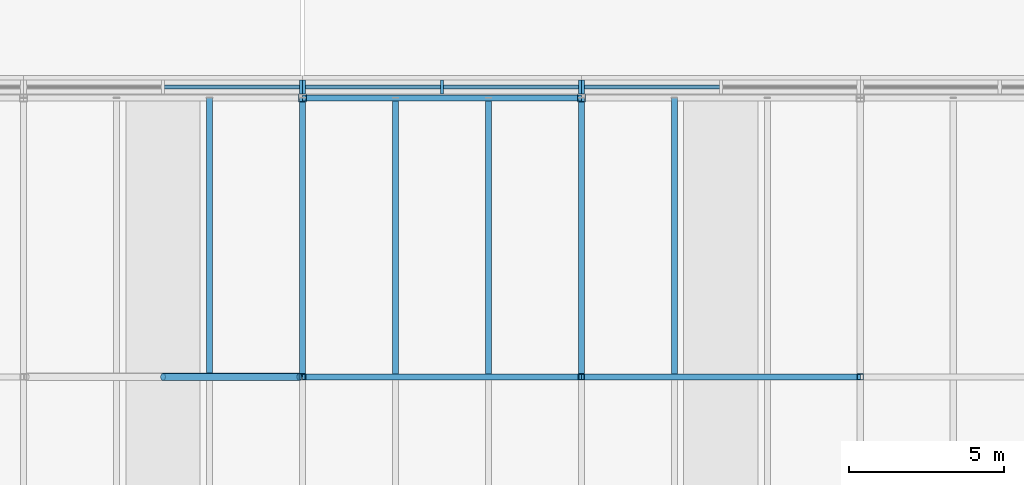
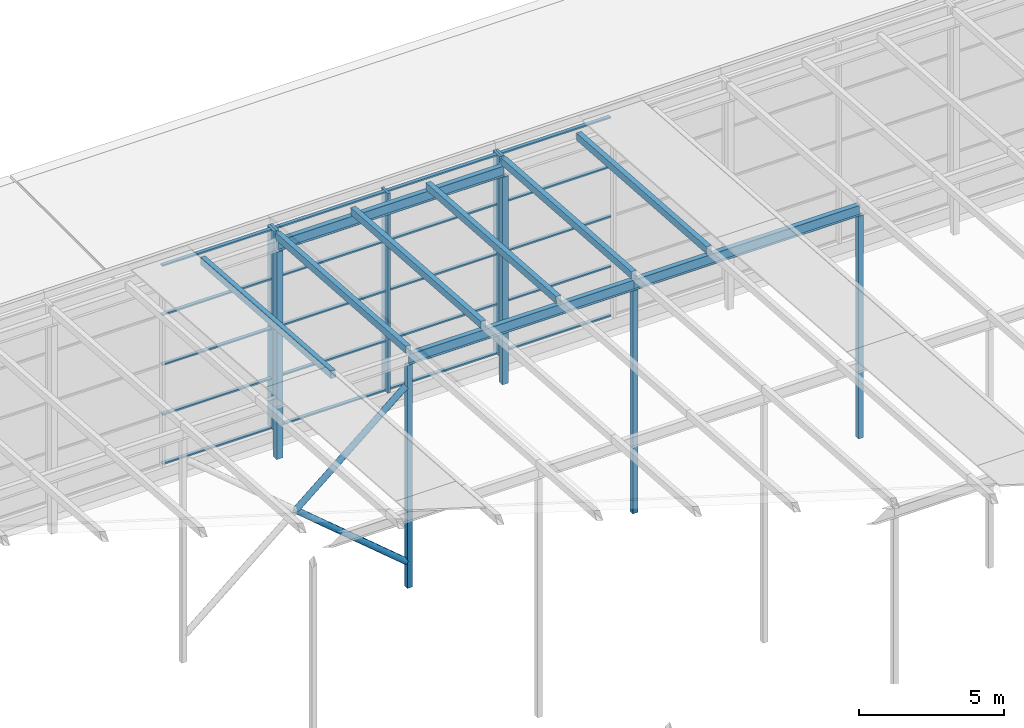
# One storey, part 45 of 84: 38 members, 3 beams, 3 elements without a shape of their own.
"""IFC4 building model written with IfcOpenShell, lengths in metres."""

from ifc_helpers import new_model, si_unit, direction, frame, origin, origin_2d, place, context, subcontext, project, spatial, rectangle, hollow_rectangle, hollow_circle, i_section, extrude, material, material_profile, profile_set, type_object, element, aggregate, save


model = new_model("IFC4")

# Units and contexts
model_context = context("Model", 3, precision=1e-05, world=origin(), true_north=direction((0.0, 1.0)))
body_context = subcontext(model_context, "Body", "Model", "MODEL_VIEW")
ifc_project = project(units=[si_unit("LENGTHUNIT", "METRE"), si_unit("AREAUNIT", "SQUARE_METRE"), si_unit("VOLUMEUNIT", "CUBIC_METRE"), si_unit("PLANEANGLEUNIT", "RADIAN"), si_unit("MASSUNIT", "GRAM", prefix="KILO")], contexts=[model_context])

# Site, building, storey
site_placement = place(None, origin())
site = spatial("IfcSite", under=ifc_project, at=site_placement, CompositionType="ELEMENT")
building_placement = place(site_placement, origin())
building = spatial("IfcBuilding", under=site, at=building_placement, Name="Silverbay Arena", CompositionType="ELEMENT")
storey_placement = place(building_placement, frame((0.0, 0.0, 47.10009765625)))
storey = spatial("IfcBuildingStorey", under=building, at=storey_placement, Name="ROOF", CompositionType="ELEMENT", Elevation=47.10009765625)

# Curtain wall, member
ifc_material_1 = material(Name="Aluminium framed glazing", Category="aluminium")
curtain_wall_type = type_object("IfcCurtainWallType", Name="Curtain wall crown 9000 x 8425", PredefinedType="NOTDEFINED", material=ifc_material_1)
curtain_wall_1_placement = place(storey_placement, origin())
curtain_wall_1 = element("IfcCurtainWall", 1, at=curtain_wall_1_placement, inside=storey, type_object=curtain_wall_type, Name="ROOF CROWN CURTAIN WALL north bay 06", PredefinedType="NOTDEFINED")
ifc_material_2 = material(Name="Aluminium", Category="aluminium")
ifc_material_profile_1 = material_profile(ifc_material_2, rectangle(XDim=0.449951171875, YDim=0.10009765625, at=origin_2d()), Name="Mullion 100 x 450")
ifc_profile_set_1 = profile_set([ifc_material_profile_1], Name="Aluminium")
member_type_1 = type_object("IfcMemberType", Name="Mullion 100 x 450", PredefinedType="MULLION", material=ifc_profile_set_1)
placement = place(building_placement, frame((0.0, 0.0, 33.5)))
member_1_placement = place(placement, frame((134.949951171875, 135.35009765625, 14.050048828125), z_axis=(0.0, 0.0, 1.0), x_axis=(0.0, 1.0, 0.0)))
member_1 = element("IfcMember", 2, at=member_1_placement, type_object=member_type_1, Name="CW62 mullion 3", PredefinedType="MULLION", context=body_context, shape_type="SweptSolid", body=[
    extrude(rectangle(XDim=0.449951171875, YDim=0.10009765625, at=origin_2d()), origin(), (0.0, 0.0, 1.0), 8.424560546875),
])

# Curtain wall, members
curtain_wall_2_placement = place(storey_placement, origin())
curtain_wall_2 = element("IfcCurtainWall", 3, at=curtain_wall_2_placement, inside=storey, type_object=curtain_wall_type, Name="ROOF CROWN CURTAIN WALL north bay 07", PredefinedType="NOTDEFINED")
member_2_placement = place(placement, frame((135.050048828125, 135.35009765625, 14.050048828125), z_axis=(0.0, 0.0, 1.0), x_axis=(0.0, 1.0, 0.0)))
member_2 = element("IfcMember", 4, at=member_2_placement, type_object=member_type_1, Name="CW62 mullion 1", PredefinedType="MULLION", context=body_context, shape_type="SweptSolid", body=[
    extrude(rectangle(XDim=0.449951171875, YDim=0.10009765625, at=origin_2d()), origin(), (0.0, 0.0, 1.0), 8.424560546875),
])
member_3_placement = place(placement, frame((139.5, 135.35009765625, 14.050048828125), z_axis=(0.0, 0.0, 1.0), x_axis=(0.0, 1.0, 0.0)))
member_3 = element("IfcMember", 5, at=member_3_placement, type_object=member_type_1, Name="CW62 mullion 2", PredefinedType="MULLION", context=body_context, shape_type="SweptSolid", body=[
    extrude(rectangle(XDim=0.449951171875, YDim=0.10009765625, at=origin_2d()), origin(), (0.0, 0.0, 1.0), 8.424560546875),
])
member_4_placement = place(placement, frame((143.949951171875, 135.35009765625, 14.050048828125), z_axis=(0.0, 0.0, 1.0), x_axis=(0.0, 1.0, 0.0)))
member_4 = element("IfcMember", 6, at=member_4_placement, type_object=member_type_1, Name="CW62 mullion 3", PredefinedType="MULLION", context=body_context, shape_type="SweptSolid", body=[
    extrude(rectangle(XDim=0.449951171875, YDim=0.10009765625, at=origin_2d()), origin(), (0.0, 0.0, 1.0), 8.424560546875),
])

# Curtain wall, member
curtain_wall_3_placement = place(storey_placement, origin())
curtain_wall_3 = element("IfcCurtainWall", 7, at=curtain_wall_3_placement, inside=storey, type_object=curtain_wall_type, Name="ROOF CROWN CURTAIN WALL north bay 08", PredefinedType="NOTDEFINED")
member_5_placement = place(placement, frame((144.050048828125, 135.35009765625, 14.050048828125), z_axis=(0.0, 0.0, 1.0), x_axis=(0.0, 1.0, 0.0)))
member_5 = element("IfcMember", 8, at=member_5_placement, type_object=member_type_1, Name="CW62 mullion 1", PredefinedType="MULLION", context=body_context, shape_type="SweptSolid", body=[
    extrude(rectangle(XDim=0.449951171875, YDim=0.10009765625, at=origin_2d()), origin(), (0.0, 0.0, 1.0), 8.424560546875),
])

# Members
ifc_material_3 = material(Name="Steel S355", Category="steel")
ifc_material_profile_2 = material_profile(ifc_material_3, hollow_rectangle(XDim=0.199951171875, YDim=0.300048828125, WallThickness=0.00634765625, at=origin_2d()), Name="RHS 300x200x6.3")
ifc_profile_set_2 = profile_set([ifc_material_profile_2], Name="Steel S355")
member_type_2 = type_object("IfcMemberType", Name="Purlin RHS 300x200x6.3", PredefinedType="PURLIN", material=ifc_profile_set_2)
for number, where, z_axis, x_axis, name in (
    (9, (132.0, 126.0, 9.3994140625), (0.0, 0.997402911363, -0.072023832195), (-1.0, 0.0, 0.0), "ROOF PURLIN crown line 18 bay 12"),
    (10, (135.0, 126.0, 9.3994140625), (0.0, 0.997402911363, -0.072023832195), (-1.0, 0.0, 0.0), "ROOF PURLIN crown line 19 bay 12"),
    (11, (138.0, 126.0, 9.3994140625), (0.0, 0.997402911363, -0.072023832195), (-1.0, 0.0, 0.0), "ROOF PURLIN crown line 20 bay 12"),
    (12, (141.0, 126.0, 9.3994140625), (0.0, 0.997402911363, -0.072023832195), (-1.0, 0.0, 0.0), "ROOF PURLIN crown line 21 bay 12"),
    (13, (144.0, 126.0, 9.3994140625), (0.0, 0.997402911363, -0.072023832195), (-1.0, 0.0, 0.0), "ROOF PURLIN crown line 22 bay 12"),
    (14, (147.0, 126.0, 9.3994140625), (0.0, 0.997402911363, -0.072023832195), (-1.0, 0.0, 0.0), "ROOF PURLIN crown line 23 bay 12"),
):
    element("IfcMember", number, at=place(storey_placement, frame(where, z_axis=z_axis, x_axis=x_axis)), inside=storey, type_object=member_type_2, Name=name, PredefinedType="PURLIN", context=body_context, shape_type="SweptSolid", body=[
        extrude(hollow_rectangle(XDim=0.199951171875, YDim=0.300048828125, WallThickness=0.00634765625, at=origin_2d()), origin(), (0.0, 0.0, 1.0), 9.0234375),
    ])

# Beams
ifc_material_4 = material(Name="Steel S355", Category="steel")
ifc_material_profile_3 = material_profile(ifc_material_4, i_section(OverallWidth=0.18994140625, OverallDepth=0.453369140625, WebThickness=0.008544921875, FlangeThickness=0.0126953125, at=origin_2d()), Name="UB 457x191x67")
ifc_profile_set_3 = profile_set([ifc_material_profile_3], Name="Steel S355")
beam_type = type_object("IfcBeamType", Name="Ring beam UB 457x191x67", PredefinedType="BEAM", material=ifc_profile_set_3)
for number, where, z_axis, x_axis, name in (
    (15, (135.0, 126.0, 9.0224609375), (1.0, 0.0, 0.0), (0.0, 1.0, 0.0), "RING BEAM crown row 12 16-17"),
    (16, (144.0, 126.0, 9.0224609375), (1.0, 0.0, 0.0), (0.0, 1.0, 0.0), "RING BEAM crown row 12 17-18"),
    (17, (135.0, 135.0, 8.372314453125), (1.0, 0.0, 0.0), (0.0, 1.0, 0.0), "RING BEAM crown row 13 16-17"),
):
    element("IfcBeam", number, at=place(storey_placement, frame(where, z_axis=z_axis, x_axis=x_axis)), inside=storey, type_object=beam_type, Name=name, PredefinedType="BEAM", context=body_context, shape_type="SweptSolid", body=[
        extrude(i_section(OverallWidth=0.18994140625, OverallDepth=0.453369140625, WebThickness=0.008544921875, FlangeThickness=0.0126953125, at=origin_2d()), origin(), (0.0, 0.0, 1.0), 9.0),
    ])

# Members
ifc_material_5 = material(Name="Steel S355", Category="steel")
ifc_material_profile_4 = material_profile(ifc_material_5, hollow_rectangle(XDim=0.199951171875, YDim=0.199951171875, WallThickness=0.008056640625, at=origin_2d()), Name="SHS 200x200x8")
ifc_profile_set_4 = profile_set([ifc_material_profile_4], Name="Steel S355")
member_type_3 = type_object("IfcMemberType", Name="Roof post SHS 200x200x8", PredefinedType="POST", material=ifc_profile_set_4)
for number, where, z_axis, x_axis, name in (
    (18, (135.0, 126.0, -0.60009765625), (0.0, 0.0, 1.0), (1.0, 0.0, 0.0), "ROOF CROWN POST 16 row 12"),
    (19, (144.0, 126.0, -0.60009765625), (0.0, 0.0, 1.0), (1.0, 0.0, 0.0), "ROOF CROWN POST 17 row 12"),
    (20, (153.0, 126.0, -0.60009765625), (0.0, 0.0, 1.0), (1.0, 0.0, 0.0), "ROOF CROWN POST 18 row 12"),
):
    element("IfcMember", number, at=place(storey_placement, frame(where, z_axis=z_axis, x_axis=x_axis)), inside=storey, type_object=member_type_3, Name=name, PredefinedType="POST", context=body_context, shape_type="SweptSolid", body=[
        extrude(hollow_rectangle(XDim=0.199951171875, YDim=0.199951171875, WallThickness=0.008056640625, at=origin_2d()), origin(), (0.0, 0.0, 1.0), 9.395751953125),
    ])
ifc_material_6 = material(Name="Steel S355", Category="steel")
ifc_material_profile_5 = material_profile(ifc_material_6, hollow_rectangle(XDim=0.25, YDim=0.25, WallThickness=0.008056640625, at=origin_2d()), Name="SHS 250x250x8")
ifc_profile_set_5 = profile_set([ifc_material_profile_5], Name="Steel S355")
member_type_4 = type_object("IfcMemberType", Name="Roof post SHS 250x250x8", PredefinedType="POST", material=ifc_profile_set_5)
for number, where, z_axis, x_axis, name in (
    (21, (135.0, 135.0, -0.60009765625), (0.0, 0.0, 1.0), (1.0, 0.0, 0.0), "ROOF CROWN POST 16 row 13"),
    (22, (144.0, 135.0, -0.60009765625), (0.0, 0.0, 1.0), (1.0, 0.0, 0.0), "ROOF CROWN POST 17 row 13"),
):
    element("IfcMember", number, at=place(storey_placement, frame(where, z_axis=z_axis, x_axis=x_axis)), inside=storey, type_object=member_type_4, Name=name, PredefinedType="POST", context=body_context, shape_type="SweptSolid", body=[
        extrude(hollow_rectangle(XDim=0.25, YDim=0.25, WallThickness=0.008056640625, at=origin_2d()), origin(), (0.0, 0.0, 1.0), 8.745849609375),
    ])

# Member
ifc_material_7 = material(Name="Aluminium", Category="aluminium")
ifc_material_profile_6 = material_profile(ifc_material_7, rectangle(XDim=0.139892578125, YDim=0.06005859375, at=origin_2d()), Name="Transom 60 x 140")
ifc_profile_set_6 = profile_set([ifc_material_profile_6], Name="Aluminium")
member_type_5 = type_object("IfcMemberType", Name="Transom 60 x 140", PredefinedType="USERDEFINED", material=ifc_profile_set_6)
member_6_placement = place(placement, frame((130.550048828125, 135.35009765625, 14.080078125), z_axis=(1.0, 0.0, 0.0), x_axis=(0.0, 1.0, 0.0)))
member_6 = element("IfcMember", 23, at=member_6_placement, type_object=member_type_5, Name="CW62 transom 2.1", ObjectType="TRANSOM", PredefinedType="USERDEFINED", context=body_context, shape_type="SweptSolid", body=[
    extrude(rectangle(XDim=0.139892578125, YDim=0.06005859375, at=origin_2d()), origin(), (0.0, 0.0, 1.0), 4.349853515625),
])

member_7_placement = place(placement, frame((130.550048828125, 135.35009765625, 16.15625), z_axis=(1.0, 0.0, 0.0), x_axis=(0.0, 1.0, 0.0)))
member_7 = element("IfcMember", 24, at=member_7_placement, type_object=member_type_5, Name="CW62 transom 2.2", ObjectType="TRANSOM", PredefinedType="USERDEFINED", context=body_context, shape_type="SweptSolid", body=[
    extrude(rectangle(XDim=0.139892578125, YDim=0.06005859375, at=origin_2d()), origin(), (0.0, 0.0, 1.0), 4.349853515625),
])

member_8_placement = place(placement, frame((130.550048828125, 135.35009765625, 18.262451171875), z_axis=(1.0, 0.0, 0.0), x_axis=(0.0, 1.0, 0.0)))
member_8 = element("IfcMember", 25, at=member_8_placement, type_object=member_type_5, Name="CW62 transom 2.3", ObjectType="TRANSOM", PredefinedType="USERDEFINED", context=body_context, shape_type="SweptSolid", body=[
    extrude(rectangle(XDim=0.139892578125, YDim=0.06005859375, at=origin_2d()), origin(), (0.0, 0.0, 1.0), 4.349853515625),
])

member_9_placement = place(placement, frame((130.550048828125, 135.35009765625, 20.36865234375), z_axis=(1.0, 0.0, 0.0), x_axis=(0.0, 1.0, 0.0)))
member_9 = element("IfcMember", 26, at=member_9_placement, type_object=member_type_5, Name="CW62 transom 2.4", ObjectType="TRANSOM", PredefinedType="USERDEFINED", context=body_context, shape_type="SweptSolid", body=[
    extrude(rectangle(XDim=0.139892578125, YDim=0.06005859375, at=origin_2d()), origin(), (0.0, 0.0, 1.0), 4.349853515625),
])

member_10_placement = place(placement, frame((130.550048828125, 135.35009765625, 22.44482421875), z_axis=(1.0, 0.0, 0.0), x_axis=(0.0, 1.0, 0.0)))
member_10 = element("IfcMember", 27, at=member_10_placement, type_object=member_type_5, Name="CW62 transom 2.5", ObjectType="TRANSOM", PredefinedType="USERDEFINED", context=body_context, shape_type="SweptSolid", body=[
    extrude(rectangle(XDim=0.139892578125, YDim=0.06005859375, at=origin_2d()), origin(), (0.0, 0.0, 1.0), 4.349853515625),
])

aggregate(curtain_wall_1, [member_1, member_6, member_7, member_8, member_9, member_10])

member_11_placement = place(placement, frame((135.10009765625, 135.35009765625, 14.080078125), z_axis=(1.0, 0.0, 0.0), x_axis=(0.0, 1.0, 0.0)))
member_11 = element("IfcMember", 28, at=member_11_placement, type_object=member_type_5, Name="CW62 transom 1.1", ObjectType="TRANSOM", PredefinedType="USERDEFINED", context=body_context, shape_type="SweptSolid", body=[
    extrude(rectangle(XDim=0.139892578125, YDim=0.06005859375, at=origin_2d()), origin(), (0.0, 0.0, 1.0), 4.349853515625),
])

member_12_placement = place(placement, frame((135.10009765625, 135.35009765625, 16.15625), z_axis=(1.0, 0.0, 0.0), x_axis=(0.0, 1.0, 0.0)))
member_12 = element("IfcMember", 29, at=member_12_placement, type_object=member_type_5, Name="CW62 transom 1.2", ObjectType="TRANSOM", PredefinedType="USERDEFINED", context=body_context, shape_type="SweptSolid", body=[
    extrude(rectangle(XDim=0.139892578125, YDim=0.06005859375, at=origin_2d()), origin(), (0.0, 0.0, 1.0), 4.349853515625),
])

member_13_placement = place(placement, frame((135.10009765625, 135.35009765625, 18.262451171875), z_axis=(1.0, 0.0, 0.0), x_axis=(0.0, 1.0, 0.0)))
member_13 = element("IfcMember", 30, at=member_13_placement, type_object=member_type_5, Name="CW62 transom 1.3", ObjectType="TRANSOM", PredefinedType="USERDEFINED", context=body_context, shape_type="SweptSolid", body=[
    extrude(rectangle(XDim=0.139892578125, YDim=0.06005859375, at=origin_2d()), origin(), (0.0, 0.0, 1.0), 4.349853515625),
])

member_14_placement = place(placement, frame((135.10009765625, 135.35009765625, 20.36865234375), z_axis=(1.0, 0.0, 0.0), x_axis=(0.0, 1.0, 0.0)))
member_14 = element("IfcMember", 31, at=member_14_placement, type_object=member_type_5, Name="CW62 transom 1.4", ObjectType="TRANSOM", PredefinedType="USERDEFINED", context=body_context, shape_type="SweptSolid", body=[
    extrude(rectangle(XDim=0.139892578125, YDim=0.06005859375, at=origin_2d()), origin(), (0.0, 0.0, 1.0), 4.349853515625),
])

member_15_placement = place(placement, frame((135.10009765625, 135.35009765625, 22.44482421875), z_axis=(1.0, 0.0, 0.0), x_axis=(0.0, 1.0, 0.0)))
member_15 = element("IfcMember", 32, at=member_15_placement, type_object=member_type_5, Name="CW62 transom 1.5", ObjectType="TRANSOM", PredefinedType="USERDEFINED", context=body_context, shape_type="SweptSolid", body=[
    extrude(rectangle(XDim=0.139892578125, YDim=0.06005859375, at=origin_2d()), origin(), (0.0, 0.0, 1.0), 4.349853515625),
])

member_16_placement = place(placement, frame((139.550048828125, 135.35009765625, 14.080078125), z_axis=(1.0, 0.0, 0.0), x_axis=(0.0, 1.0, 0.0)))
member_16 = element("IfcMember", 33, at=member_16_placement, type_object=member_type_5, Name="CW62 transom 2.1", ObjectType="TRANSOM", PredefinedType="USERDEFINED", context=body_context, shape_type="SweptSolid", body=[
    extrude(rectangle(XDim=0.139892578125, YDim=0.06005859375, at=origin_2d()), origin(), (0.0, 0.0, 1.0), 4.349853515625),
])

member_17_placement = place(placement, frame((139.550048828125, 135.35009765625, 16.15625), z_axis=(1.0, 0.0, 0.0), x_axis=(0.0, 1.0, 0.0)))
member_17 = element("IfcMember", 34, at=member_17_placement, type_object=member_type_5, Name="CW62 transom 2.2", ObjectType="TRANSOM", PredefinedType="USERDEFINED", context=body_context, shape_type="SweptSolid", body=[
    extrude(rectangle(XDim=0.139892578125, YDim=0.06005859375, at=origin_2d()), origin(), (0.0, 0.0, 1.0), 4.349853515625),
])

member_18_placement = place(placement, frame((139.550048828125, 135.35009765625, 18.262451171875), z_axis=(1.0, 0.0, 0.0), x_axis=(0.0, 1.0, 0.0)))
member_18 = element("IfcMember", 35, at=member_18_placement, type_object=member_type_5, Name="CW62 transom 2.3", ObjectType="TRANSOM", PredefinedType="USERDEFINED", context=body_context, shape_type="SweptSolid", body=[
    extrude(rectangle(XDim=0.139892578125, YDim=0.06005859375, at=origin_2d()), origin(), (0.0, 0.0, 1.0), 4.349853515625),
])

member_19_placement = place(placement, frame((139.550048828125, 135.35009765625, 20.36865234375), z_axis=(1.0, 0.0, 0.0), x_axis=(0.0, 1.0, 0.0)))
member_19 = element("IfcMember", 36, at=member_19_placement, type_object=member_type_5, Name="CW62 transom 2.4", ObjectType="TRANSOM", PredefinedType="USERDEFINED", context=body_context, shape_type="SweptSolid", body=[
    extrude(rectangle(XDim=0.139892578125, YDim=0.06005859375, at=origin_2d()), origin(), (0.0, 0.0, 1.0), 4.349853515625),
])

member_20_placement = place(placement, frame((139.550048828125, 135.35009765625, 22.44482421875), z_axis=(1.0, 0.0, 0.0), x_axis=(0.0, 1.0, 0.0)))
member_20 = element("IfcMember", 37, at=member_20_placement, type_object=member_type_5, Name="CW62 transom 2.5", ObjectType="TRANSOM", PredefinedType="USERDEFINED", context=body_context, shape_type="SweptSolid", body=[
    extrude(rectangle(XDim=0.139892578125, YDim=0.06005859375, at=origin_2d()), origin(), (0.0, 0.0, 1.0), 4.349853515625),
])

aggregate(curtain_wall_2, [member_2, member_3, member_4, member_11, member_12, member_13, member_14, member_15, member_16, member_17, member_18, member_19, member_20])

member_21_placement = place(placement, frame((144.10009765625, 135.35009765625, 14.080078125), z_axis=(1.0, 0.0, 0.0), x_axis=(0.0, 1.0, 0.0)))
member_21 = element("IfcMember", 38, at=member_21_placement, type_object=member_type_5, Name="CW62 transom 1.1", ObjectType="TRANSOM", PredefinedType="USERDEFINED", context=body_context, shape_type="SweptSolid", body=[
    extrude(rectangle(XDim=0.139892578125, YDim=0.06005859375, at=origin_2d()), origin(), (0.0, 0.0, 1.0), 4.349853515625),
])

member_22_placement = place(placement, frame((144.10009765625, 135.35009765625, 16.15625), z_axis=(1.0, 0.0, 0.0), x_axis=(0.0, 1.0, 0.0)))
member_22 = element("IfcMember", 39, at=member_22_placement, type_object=member_type_5, Name="CW62 transom 1.2", ObjectType="TRANSOM", PredefinedType="USERDEFINED", context=body_context, shape_type="SweptSolid", body=[
    extrude(rectangle(XDim=0.139892578125, YDim=0.06005859375, at=origin_2d()), origin(), (0.0, 0.0, 1.0), 4.349853515625),
])

member_23_placement = place(placement, frame((144.10009765625, 135.35009765625, 18.262451171875), z_axis=(1.0, 0.0, 0.0), x_axis=(0.0, 1.0, 0.0)))
member_23 = element("IfcMember", 40, at=member_23_placement, type_object=member_type_5, Name="CW62 transom 1.3", ObjectType="TRANSOM", PredefinedType="USERDEFINED", context=body_context, shape_type="SweptSolid", body=[
    extrude(rectangle(XDim=0.139892578125, YDim=0.06005859375, at=origin_2d()), origin(), (0.0, 0.0, 1.0), 4.349853515625),
])

member_24_placement = place(placement, frame((144.10009765625, 135.35009765625, 20.36865234375), z_axis=(1.0, 0.0, 0.0), x_axis=(0.0, 1.0, 0.0)))
member_24 = element("IfcMember", 41, at=member_24_placement, type_object=member_type_5, Name="CW62 transom 1.4", ObjectType="TRANSOM", PredefinedType="USERDEFINED", context=body_context, shape_type="SweptSolid", body=[
    extrude(rectangle(XDim=0.139892578125, YDim=0.06005859375, at=origin_2d()), origin(), (0.0, 0.0, 1.0), 4.349853515625),
])

member_25_placement = place(placement, frame((144.10009765625, 135.35009765625, 22.44482421875), z_axis=(1.0, 0.0, 0.0), x_axis=(0.0, 1.0, 0.0)))
member_25 = element("IfcMember", 42, at=member_25_placement, type_object=member_type_5, Name="CW62 transom 1.5", ObjectType="TRANSOM", PredefinedType="USERDEFINED", context=body_context, shape_type="SweptSolid", body=[
    extrude(rectangle(XDim=0.139892578125, YDim=0.06005859375, at=origin_2d()), origin(), (0.0, 0.0, 1.0), 4.349853515625),
])

aggregate(curtain_wall_3, [member_5, member_21, member_22, member_23, member_24, member_25])

# Members
ifc_material_8 = material(Name="Steel S355", Category="steel")
ifc_material_profile_7 = material_profile(ifc_material_8, hollow_circle(Radius=0.122314453125, WallThickness=0.00634765625, at=origin_2d()), Name="CHS 244.5x6.3")
ifc_profile_set_7 = profile_set([ifc_material_profile_7], Name="Steel S355")
member_type_6 = type_object("IfcMemberType", Name="Vertical bracing CHS 244.5x6.3", PredefinedType="BRACE", material=ifc_profile_set_7)
member_26_placement = place(storey_placement, frame((130.5, 126.0, 4.19775390625), z_axis=(0.765526597926, 0.0, 0.643404249184), x_axis=(0.0, 1.0, 0.0)))
element("IfcMember", 43, at=member_26_placement, inside=storey, type_object=member_type_6, Name="ROOF CROWN BRACING N bay 06 Ab", PredefinedType="BRACE", context=body_context, shape_type="SweptSolid", body=[
    extrude(hollow_circle(Radius=0.122314453125, WallThickness=0.00634765625, at=origin_2d()), origin(), (0.0, 0.0, 1.0), 5.74755859375),
])
member_27_placement = place(storey_placement, frame((130.5, 126.0, 4.19775390625), z_axis=(0.765547520012, 0.0, -0.643379355127), x_axis=(0.0, 1.0, 0.0)))
element("IfcMember", 44, at=member_27_placement, inside=storey, type_object=member_type_6, Name="ROOF CROWN BRACING N bay 06 Bb", PredefinedType="BRACE", context=body_context, shape_type="SweptSolid", body=[
    extrude(hollow_circle(Radius=0.122314453125, WallThickness=0.00634765625, at=origin_2d()), origin(), (0.0, 0.0, 1.0), 5.747314453125),
])

save(model, "model.ifc")
